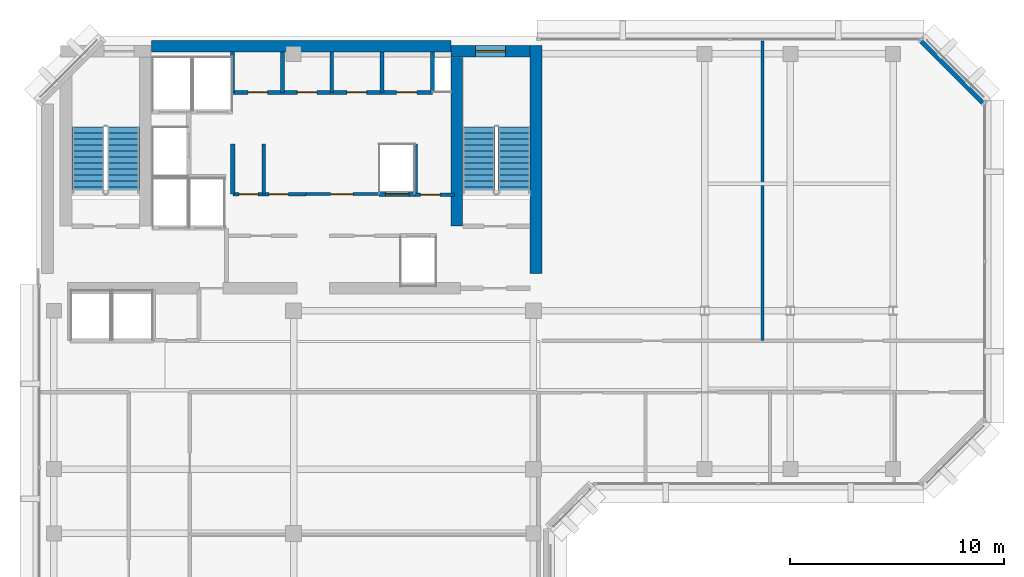
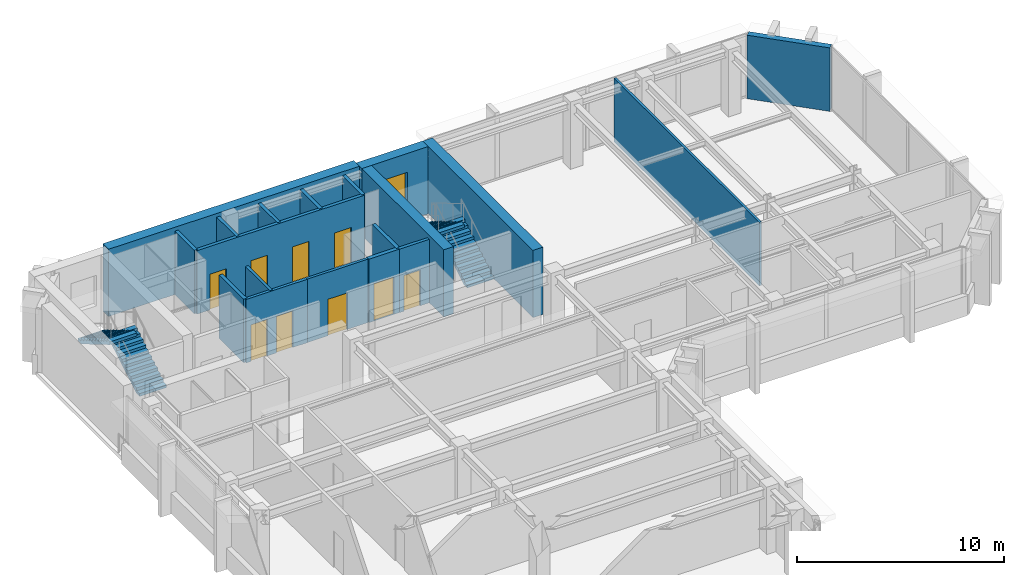
# One storey, part 8 of 11: 19 walls, 9 doors, 4 stair flights, 1 window, 10 openings, 2 elements without a shape of their own.
"""IFC4 building model written with IfcOpenShell, lengths in metres."""

from ifc_helpers import new_model, si_unit, direction, frame, frame_2d, origin, place, context, subcontext, project, spatial, polyline, rectangle, outline, extrude, material, layer, layer_set, type_object, element, fill, aggregate, save


model = new_model("IFC4")

# Units and contexts
model_context = context("Model", 3, precision=1e-05, world=origin(), true_north=direction((0.0, 1.0)))
body_context = subcontext(model_context, "Body", "Model", "MODEL_VIEW")
ifc_project = project(units=[si_unit("LENGTHUNIT", "METRE"), si_unit("AREAUNIT", "SQUARE_METRE"), si_unit("VOLUMEUNIT", "CUBIC_METRE"), si_unit("PLANEANGLEUNIT", "RADIAN"), si_unit("MASSUNIT", "GRAM", prefix="KILO")], contexts=[model_context])

# Site, building, storey
site_placement = place(None, origin())
site = spatial("IfcSite", under=ifc_project, at=site_placement, CompositionType="ELEMENT")
building_placement = place(site_placement, origin())
building = spatial("IfcBuilding", under=site, at=building_placement, Name="Kefirva Bronze Tower", CompositionType="ELEMENT")
storey_placement = place(building_placement, frame((0.0, 0.0, 288.090087890625)))
storey = spatial("IfcBuildingStorey", under=building, at=storey_placement, Name="L70", CompositionType="ELEMENT", Elevation=288.090087890625)

# Wall
ifc_material_1 = material(Name="Gypsum acoustic partition")
ifc_layer_1 = layer(ifc_material_1, 0.1298828125, Name="Gypsum acoustic partition")
ifc_layer_set_1 = layer_set([ifc_layer_1], Name="Gypsum acoustic partition")
wall_type_1 = type_object("IfcWallType", Name="Acoustic Office Partition 130mm", PredefinedType="PARTITIONING", material=ifc_layer_set_1)
wall_1_placement = place(storey_placement, frame((33.905029296875, 31.800048828125, 0.0), z_axis=(0.0, 0.0, 1.0), x_axis=(0.0, 1.0, 0.0)))
element("IfcWall", 1, at=wall_1_placement, inside=storey, type_object=wall_type_1, Name="L70 Partition W-L70-END1", PredefinedType="PARTITIONING", context=body_context, shape_type="SweptSolid", body=[
    extrude(rectangle(XDim=14.010009765625, YDim=0.1298828125, at=frame_2d((7.0048828125, 0.0))), origin(), (0.0, 0.0, 1.0), 3.739990234375),
])

# Wall, opening, door
ifc_layer_2 = layer(ifc_material_1, 0.14990234375, Name="Gypsum acoustic partition")
ifc_layer_set_2 = layer_set([ifc_layer_2], Name="Gypsum acoustic partition")
wall_type_2 = type_object("IfcWallType", Name="Executive Suite Partition 150mm", PredefinedType="PARTITIONING", material=ifc_layer_set_2)
wall_2_placement = place(storey_placement, frame((12.580078125, 38.64990234375, 0.0), z_axis=(0.0, 0.0, 1.0), x_axis=(1.0, 0.0, 0.0)))
wall_2 = element("IfcWall", 2, at=wall_2_placement, inside=storey, type_object=wall_type_2, Name="L70 Partition W-L70-RECMP2", PredefinedType="PARTITIONING", context=body_context, shape_type="SweptSolid", body=[
    extrude(rectangle(XDim=3.3798828125, YDim=0.14990234375, at=frame_2d((1.68994140625, 0.0))), origin(), (0.0, 0.0, 1.0), 3.739990234375),
])
opening_1_placement = place(wall_2_placement, frame((2.199951171875, 0.0, 0.0), z_axis=(0.0, 0.0, 1.0), x_axis=(-1.0, 0.0, 0.0)))
opening_1 = element("IfcOpeningElement", 3, at=opening_1_placement, cuts=wall_2, Name="Opening L70-D-RECMP2", PredefinedType="OPENING", context=body_context, shape_type="SweptSolid", body=[
    extrude(rectangle(XDim=1.050048828125, YDim=2.14990234375, at=frame_2d((0.52490234375, 1.074951171875))), frame((0.0, 0.0849609375, 0.0), z_axis=(0.0, -1.0, 0.0), x_axis=(1.0, 0.0, 0.0)), (0.0, 0.0, 1.0), 0.169921875),
])
ifc_material_2 = material(Name="Acoustic hardwood oak", Category="wood")
door_type_1 = type_object("IfcDoorType", Name="Executive & Boardroom Door 1050x2150", OperationType="NOTDEFINED", PredefinedType="DOOR", material=ifc_material_2)
door_1_placement = place(opening_1_placement, origin())
door_1 = element("IfcDoor", 4, at=door_1_placement, inside=storey, type_object=door_type_1, Name="Door L70-D-RECMP2", OperationType="SINGLE_SWING_RIGHT", OverallHeight=2.14990234375, OverallWidth=1.050048828125, PredefinedType="DOOR", context=body_context, shape_type="SweptSolid", body=[
    extrude(rectangle(XDim=1.050048828125, YDim=2.14990234375, at=frame_2d((0.52490234375, 1.074951171875))), frame((0.0, 0.02490234375, 0.0), z_axis=(0.0, -1.0, 0.0), x_axis=(1.0, 0.0, 0.0)), (0.0, 0.0, 1.0), 0.050048828125),
])
fill(opening_1, door_1)

# Walls
ifc_material_3 = material(Name="Gypsum fireboard shaftwall")
ifc_layer_3 = layer(ifc_material_3, 0.219970703125, Name="Gypsum fireboard shaftwall")
ifc_layer_set_3 = layer_set([ifc_layer_3], Name="Gypsum fireboard shaftwall")
wall_type_3 = type_object("IfcWallType", Name="Fire-Rated Shaft Enclosure Wall 220mm", PredefinedType="PARTITIONING", material=ifc_layer_set_3)
for number, where, z_axis, x_axis, name in (
    (5, (9.159912109375, 38.64990234375, 0.0), (0.0, 0.0, 1.0), (0.0, 1.0, 0.0), "L70 Partition W-L70-LP3W"),
    (6, (17.679931640625, 38.64990234375, 0.0), (0.0, 0.0, 1.0), (0.0, 1.0, 0.0), "L70 Partition W-L70-HP2E"),
):
    element("IfcWall", number, at=place(storey_placement, frame(where, z_axis=z_axis, x_axis=x_axis)), inside=storey, type_object=wall_type_3, Name=name, PredefinedType="PARTITIONING", context=body_context, shape_type="SweptSolid", body=[
        extrude(rectangle(XDim=2.35009765625, YDim=0.199951171875, at=frame_2d((1.175048828125, 0.0))), origin(), (0.0, 0.0, 1.0), 3.739990234375),
    ])

# Wall, opening, door
wall_3_placement = place(storey_placement, frame((15.97998046875, 38.64990234375, 0.0), z_axis=(0.0, 0.0, 1.0), x_axis=(1.0, 0.0, 0.0)))
wall_3 = element("IfcWall", 7, at=wall_3_placement, inside=storey, type_object=wall_type_3, Name="L70 Partition W-L70-HPN", PredefinedType="PARTITIONING", context=body_context, shape_type="SweptSolid", body=[
    extrude(rectangle(XDim=1.719970703125, YDim=0.219970703125, at=frame_2d((0.85986328125, 0.0))), origin(), (0.0, 0.0, 1.0), 3.739990234375),
])
opening_2_placement = place(wall_3_placement, frame((0.300048828125, 0.0, 0.0)))
opening_2 = element("IfcOpeningElement", 8, at=opening_2_placement, cuts=wall_3, Name="Opening L70-LD-HP2", PredefinedType="OPENING", context=body_context, shape_type="SweptSolid", body=[
    extrude(rectangle(XDim=1.10009765625, YDim=2.199951171875, at=frame_2d((0.550048828125, 1.10009765625))), frame((0.0, 0.1201171875, 0.0), z_axis=(0.0, -1.0, 0.0), x_axis=(1.0, 0.0, 0.0)), (0.0, 0.0, 1.0), 0.239990234375),
])
ifc_material_4 = material(Name="Stainless steel 316", Category="steel")
door_type_2 = type_object("IfcDoorType", Name="Passenger Lift Sliding Landing Door 1100x2200", OperationType="SLIDING_TO_LEFT", PredefinedType="DOOR", material=ifc_material_4)
door_2_placement = place(opening_2_placement, origin())
door_2 = element("IfcDoor", 9, at=door_2_placement, inside=storey, type_object=door_type_2, Name="Door L70-LD-HP2", OperationType="SLIDING_TO_LEFT", OverallHeight=2.199951171875, OverallWidth=1.10009765625, PredefinedType="DOOR", context=body_context, shape_type="SweptSolid", body=[
    extrude(rectangle(XDim=1.10009765625, YDim=2.199951171875, at=frame_2d((0.550048828125, 1.10009765625))), frame((0.0, 0.02490234375, 0.0), z_axis=(0.0, -1.0, 0.0), x_axis=(1.0, 0.0, 0.0)), (0.0, 0.0, 1.0), 0.050048828125),
])
fill(opening_2, door_2)

ifc_material_5 = material(Name="Gypsum fireboard barrier")
ifc_layer_4 = layer(ifc_material_5, 0.199951171875, Name="Gypsum fireboard barrier")
ifc_layer_set_4 = layer_set([ifc_layer_4], Name="Gypsum fireboard barrier")
wall_type_4 = type_object("IfcWallType", Name="Firefighting Lobby Barrier Wall 200mm", PredefinedType="PARTITIONING", material=ifc_layer_set_4)
wall_4_placement = place(storey_placement, frame((17.679931640625, 38.6201171875, 0.0), z_axis=(0.0, 0.0, 1.0), x_axis=(1.0, 0.0, 0.0)))
wall_4 = element("IfcWall", 10, at=wall_4_placement, inside=storey, type_object=wall_type_4, Name="L70 Partition W-L70-CPASS", PredefinedType="PARTITIONING", context=body_context, shape_type="SweptSolid", body=[
    extrude(rectangle(XDim=1.840087890625, YDim=0.179931640625, at=frame_2d((0.919921875, 0.0))), origin(), (0.0, 0.0, 1.0), 3.739990234375),
])
opening_3_placement = place(wall_4_placement, frame((0.239990234375, 0.0, 0.0)))
opening_3 = element("IfcOpeningElement", 11, at=opening_3_placement, cuts=wall_4, Name="Opening L70-D-CPAS", PredefinedType="OPENING", context=body_context, shape_type="SweptSolid", body=[
    extrude(rectangle(XDim=0.919921875, YDim=2.10009765625, at=frame_2d((0.4599609375, 1.050048828125))), frame((0.0, 0.10009765625, 0.0), z_axis=(0.0, -1.0, 0.0), x_axis=(1.0, 0.0, 0.0)), (0.0, 0.0, 1.0), 0.199951171875),
])
ifc_material_6 = material(Name="Moisture-resistant timber", Category="wood")
door_type_3 = type_object("IfcDoorType", Name="Accessible Sanitary & WC Door 920x2100", OperationType="NOTDEFINED", PredefinedType="DOOR", material=ifc_material_6)
door_3_placement = place(opening_3_placement, origin())
door_3 = element("IfcDoor", 12, at=door_3_placement, inside=storey, type_object=door_type_3, Name="Door L70-D-CPAS", OperationType="SINGLE_SWING_RIGHT", OverallHeight=2.10009765625, OverallWidth=0.919921875, PredefinedType="DOOR", context=body_context, shape_type="SweptSolid", body=[
    extrude(rectangle(XDim=0.919921875, YDim=2.10009765625, at=frame_2d((0.4599609375, 1.050048828125))), frame((0.0, 0.02490234375, 0.0), z_axis=(0.0, -1.0, 0.0), x_axis=(1.0, 0.0, 0.0)), (0.0, 0.0, 1.0), 0.050048828125),
])
fill(opening_3, door_3)

# Wall
ifc_material_7 = material(Name="Precast concrete C40/50", Category="concrete")
ifc_layer_5 = layer(ifc_material_7, 0.320068359375, Name="Precast concrete C40/50")
ifc_layer_set_5 = layer_set([ifc_layer_5], Name="Precast concrete C40/50")
wall_type_5 = type_object("IfcWallType", Name="Precast Insulated Exterior Wall 320mm", PredefinedType="SOLIDWALL", material=ifc_layer_set_5)
wall_5_placement = place(storey_placement, frame((44.248046875, 42.92578125, 0.0), z_axis=(0.0, 0.0, 1.0), x_axis=(-0.707136318428, 0.707077242712, 0.0)))
element("IfcWall", 13, at=wall_5_placement, inside=storey, type_object=wall_type_5, Name="L70 Exterior Facade Wall 5", PredefinedType="SOLIDWALL", context=body_context, shape_type="SweptSolid", body=[
    extrude(rectangle(XDim=4.132568359375, YDim=0.320068359375, at=frame_2d((2.06640625, 0.0))), origin(), (0.0, 0.0, 1.0), 3.739990234375),
])

# Wall, openings, doors
ifc_layer_6 = layer(ifc_material_1, 0.159912109375, Name="Gypsum acoustic partition")
ifc_layer_set_6 = layer_set([ifc_layer_6], Name="Gypsum acoustic partition")
wall_type_6 = type_object("IfcWallType", Name="Protected Corridor Partition 160mm", PredefinedType="PARTITIONING", material=ifc_layer_set_6)
wall_6_placement = place(storey_placement, frame((9.159912109375, 38.64990234375, 0.0), z_axis=(0.0, 0.0, 1.0), x_axis=(1.0, 0.0, 0.0)))
wall_6 = element("IfcWall", 14, at=wall_6_placement, inside=storey, type_object=wall_type_6, Name="L70 Partition W-L70-RECLP2", PredefinedType="PARTITIONING", context=body_context, shape_type="SweptSolid", body=[
    extrude(rectangle(XDim=3.420166015625, YDim=0.159912109375, at=frame_2d((1.7099609375, 0.0))), origin(), (0.0, 0.0, 1.0), 3.739990234375),
])
opening_4_placement = place(wall_6_placement, frame((1.179931640625, 0.0, 0.0), z_axis=(0.0, 0.0, 1.0), x_axis=(-1.0, 0.0, 0.0)))
opening_4 = element("IfcOpeningElement", 15, at=opening_4_placement, cuts=wall_6, Name="Opening L70-D-RECLP2A", PredefinedType="OPENING", context=body_context, shape_type="SweptSolid", body=[
    extrude(rectangle(XDim=0.89990234375, YDim=2.14990234375, at=frame_2d((0.449951171875, 1.074951171875))), frame((0.0, 0.08984375, 0.0), z_axis=(0.0, -1.0, 0.0), x_axis=(1.0, 0.0, 0.0)), (0.0, 0.0, 1.0), 0.179931640625),
])
opening_5_placement = place(wall_6_placement, frame((2.599853515625, 0.0, 0.0), z_axis=(0.0, 0.0, 1.0), x_axis=(-1.0, 0.0, 0.0)))
opening_5 = element("IfcOpeningElement", 16, at=opening_5_placement, cuts=wall_6, Name="Opening L70-D-RECLP2B", PredefinedType="OPENING", context=body_context, shape_type="SweptSolid", body=[
    extrude(rectangle(XDim=0.89990234375, YDim=2.14990234375, at=frame_2d((0.449951171875, 1.074951171875))), frame((0.0, 0.08984375, 0.0), z_axis=(0.0, -1.0, 0.0), x_axis=(1.0, 0.0, 0.0)), (0.0, 0.0, 1.0), 0.179931640625),
])
ifc_material_8 = material(Name="Painted galvanized steel", Category="steel")
door_type_4 = type_object("IfcDoorType", Name="Core Archive & Server Fire Door 900x2150 FD60S", OperationType="NOTDEFINED", PredefinedType="DOOR", material=ifc_material_8)
door_4_placement = place(opening_4_placement, origin())
door_4 = element("IfcDoor", 17, at=door_4_placement, inside=storey, type_object=door_type_4, Name="Door L70-D-RECLP2A", OperationType="SINGLE_SWING_LEFT", OverallHeight=2.14990234375, OverallWidth=0.89990234375, PredefinedType="DOOR", context=body_context, shape_type="SweptSolid", body=[
    extrude(rectangle(XDim=0.89990234375, YDim=2.14990234375, at=frame_2d((0.449951171875, 1.074951171875))), frame((0.0, 0.02490234375, 0.0), z_axis=(0.0, -1.0, 0.0), x_axis=(1.0, 0.0, 0.0)), (0.0, 0.0, 1.0), 0.050048828125),
])
fill(opening_4, door_4)
door_5_placement = place(opening_5_placement, origin())
door_5 = element("IfcDoor", 18, at=door_5_placement, inside=storey, type_object=door_type_4, Name="Door L70-D-RECLP2B", OperationType="SINGLE_SWING_RIGHT", OverallHeight=2.14990234375, OverallWidth=0.89990234375, PredefinedType="DOOR", context=body_context, shape_type="SweptSolid", body=[
    extrude(rectangle(XDim=0.89990234375, YDim=2.14990234375, at=frame_2d((0.449951171875, 1.074951171875))), frame((0.0, 0.02490234375, 0.0), z_axis=(0.0, -1.0, 0.0), x_axis=(1.0, 0.0, 0.0)), (0.0, 0.0, 1.0), 0.050048828125),
])
fill(opening_5, door_5)

# Walls
wall_7_placement = place(storey_placement, frame((10.60009765625, 38.64990234375, 0.0), z_axis=(0.0, 0.0, 1.0), x_axis=(0.0, 1.0, 0.0)))
element("IfcWall", 19, at=wall_7_placement, inside=storey, type_object=wall_type_6, Name="L70 Partition W-L70-RECLP2D", PredefinedType="PARTITIONING", context=body_context, shape_type="SweptSolid", body=[
    extrude(rectangle(XDim=2.35009765625, YDim=0.159912109375, at=frame_2d((1.175048828125, 0.0))), origin(), (0.0, 0.0, 1.0), 3.739990234375),
])
ifc_material_9 = material(Name="Concrete C50/60", Category="concrete")
ifc_layer_7 = layer(ifc_material_9, 0.550048828125, Name="Concrete C50/60")
ifc_layer_set_7 = layer_set([ifc_layer_7], Name="Concrete C50/60")
wall_type_7 = type_object("IfcWallType", Name="RC Rear Core Exterior Wall 550mm", PredefinedType="SHEAR", material=ifc_layer_set_7)
wall_8_placement = place(storey_placement, frame((5.360107421875, 45.550048828125, 0.0), z_axis=(0.0, 0.0, 1.0), x_axis=(1.0, 0.0, 0.0)))
element("IfcWall", 20, at=wall_8_placement, inside=storey, type_object=wall_type_7, Name="L70 Rear Core North Shear Wall", PredefinedType="SHEAR", context=body_context, shape_type="SweptSolid", body=[
    extrude(rectangle(XDim=13.97998046875, YDim=0.550048828125, at=frame_2d((6.989990234375, 0.0))), origin(), (0.0, 0.0, 1.0), 3.9599609375),
])

# Wall, opening, window
wall_9_placement = place(storey_placement, frame((19.35009765625, 45.320068359375, 0.0), z_axis=(0.0, 0.0, 1.0), x_axis=(1.0, 0.0, 0.0)))
wall_9 = element("IfcWall", 21, at=wall_9_placement, inside=storey, type_object=wall_type_7, Name="L70 Stair 2 North Shear Wall", PredefinedType="SHEAR", context=body_context, shape_type="SweptSolid", body=[
    extrude(rectangle(XDim=3.68994140625, YDim=0.550048828125, at=frame_2d((1.844970703125, 0.0))), origin(), (0.0, 0.0, 1.0), 3.9599609375),
])
opening_6_placement = place(wall_9_placement, frame((1.14990234375, 0.0, 1.050048828125)))
opening_6 = element("IfcOpeningElement", 22, at=opening_6_placement, cuts=wall_9, Name="Opening WN-03", PredefinedType="OPENING", context=body_context, shape_type="SweptSolid", body=[
    extrude(rectangle(XDim=1.39990234375, YDim=1.800048828125, at=frame_2d((0.699951171875, 0.89990234375))), frame((0.0, 0.28515625, 0.0), z_axis=(0.0, -1.0, 0.0), x_axis=(1.0, 0.0, 0.0)), (0.0, 0.0, 1.0), 0.570068359375),
])
ifc_material_10 = material(Name="Laminated low-E double glazing", Category="glass")
window_type = type_object("IfcWindowType", Name="Rear-Core Stair Daylight Window 1400x1800", PartitioningType="SINGLE_PANEL", PredefinedType="WINDOW", material=ifc_material_10)
window_placement = place(opening_6_placement, origin())
window = element("IfcWindow", 23, at=window_placement, inside=storey, type_object=window_type, Name="L70 Stair 2 Daylight Window", OverallHeight=1.800048828125, OverallWidth=1.39990234375, PartitioningType="SINGLE_PANEL", PredefinedType="WINDOW", context=body_context, shape_type="SweptSolid", body=[
    extrude(rectangle(XDim=1.39990234375, YDim=1.800048828125, at=frame_2d((0.699951171875, 0.89990234375))), frame((0.0, 0.030029296875, 0.0), z_axis=(0.0, -1.0, 0.0), x_axis=(1.0, 0.0, 0.0)), (0.0, 0.0, 1.0), 0.06005859375),
])
fill(opening_6, window)

# Walls
ifc_layer_8 = layer(ifc_material_9, 0.550048828125, Name="Concrete C50/60")
ifc_layer_set_8 = layer_set([ifc_layer_8], Name="Concrete C50/60")
wall_type_8 = type_object("IfcWallType", Name="RC Rear Core Interior Wall 550mm", PredefinedType="SHEAR", material=ifc_layer_set_8)
wall_10_placement = place(storey_placement, frame((23.324951171875, 34.949951171875, 0.0), z_axis=(0.0, 0.0, 1.0), x_axis=(0.0, 1.0, 0.0)))
element("IfcWall", 24, at=wall_10_placement, inside=storey, type_object=wall_type_8, Name="L70 Rear Core East Shear Wall", PredefinedType="SHEAR", context=body_context, shape_type="SweptSolid", body=[
    extrude(rectangle(XDim=10.64013671875, YDim=0.550048828125, at=frame_2d((5.320068359375, 0.0))), origin(), (0.0, 0.0, 1.0), 3.9599609375),
])
wall_11_placement = place(storey_placement, frame((19.6201171875, 37.14990234375, 0.0), z_axis=(0.0, 0.0, 1.0), x_axis=(0.0, 1.0, 0.0)))
element("IfcWall", 25, at=wall_11_placement, inside=storey, type_object=wall_type_8, Name="L70 Stair 2 West Shear Wall", PredefinedType="SHEAR", context=body_context, shape_type="SweptSolid", body=[
    extrude(rectangle(XDim=7.89013671875, YDim=0.550048828125, at=frame_2d((3.945068359375, 0.0))), origin(), (0.0, 0.0, 1.0), 3.9599609375),
])

# Wall, openings, doors
ifc_material_11 = material(Name="Moisture-resistant partition")
ifc_layer_9 = layer(ifc_material_11, 0.179931640625, Name="Moisture-resistant partition")
ifc_layer_set_9 = layer_set([ifc_layer_9], Name="Moisture-resistant partition")
wall_type_9 = type_object("IfcWallType", Name="Sanitary Plumbing Chase Wall 180mm", PredefinedType="PLUMBINGWALL", material=ifc_layer_set_9)
wall_12_placement = place(storey_placement, frame((9.14990234375, 43.39990234375, 0.0), z_axis=(0.0, 0.0, 1.0), x_axis=(1.0, 0.0, 0.0)))
wall_12 = element("IfcWall", 26, at=wall_12_placement, inside=storey, type_object=wall_type_9, Name="L70 Partition W-L70-SVCS", PredefinedType="PLUMBINGWALL", context=body_context, shape_type="SweptSolid", body=[
    extrude(rectangle(XDim=9.330078125, YDim=0.179931640625, at=frame_2d((4.6650390625, 0.0))), origin(), (0.0, 0.0, 1.0), 3.739990234375),
])
opening_7_placement = place(wall_12_placement, frame((0.719970703125, 0.0, 0.0)))
opening_7 = element("IfcOpeningElement", 27, at=opening_7_placement, cuts=wall_12, Name="Opening L70-D-CSVC1", PredefinedType="OPENING", context=body_context, shape_type="SweptSolid", body=[
    extrude(rectangle(XDim=0.919921875, YDim=2.10009765625, at=frame_2d((0.4599609375, 1.050048828125))), frame((0.0, 0.10009765625, 0.0), z_axis=(0.0, -1.0, 0.0), x_axis=(1.0, 0.0, 0.0)), (0.0, 0.0, 1.0), 0.199951171875),
])
opening_8_placement = place(wall_12_placement, frame((3.02001953125, 0.0, 0.0)))
opening_8 = element("IfcOpeningElement", 28, at=opening_8_placement, cuts=wall_12, Name="Opening L70-D-CSVC2", PredefinedType="OPENING", context=body_context, shape_type="SweptSolid", body=[
    extrude(rectangle(XDim=0.919921875, YDim=2.10009765625, at=frame_2d((0.4599609375, 1.050048828125))), frame((0.0, 0.10009765625, 0.0), z_axis=(0.0, -1.0, 0.0), x_axis=(1.0, 0.0, 0.0)), (0.0, 0.0, 1.0), 0.199951171875),
])
opening_9_placement = place(wall_12_placement, frame((5.340087890625, 0.0, 0.0)))
opening_9 = element("IfcOpeningElement", 29, at=opening_9_placement, cuts=wall_12, Name="Opening L70-D-CSVC3", PredefinedType="OPENING", context=body_context, shape_type="SweptSolid", body=[
    extrude(rectangle(XDim=0.919921875, YDim=2.10009765625, at=frame_2d((0.4599609375, 1.050048828125))), frame((0.0, 0.10009765625, 0.0), z_axis=(0.0, -1.0, 0.0), x_axis=(1.0, 0.0, 0.0)), (0.0, 0.0, 1.0), 0.199951171875),
])
opening_10_placement = place(wall_12_placement, frame((7.659912109375, 0.0, 0.0)))
opening_10 = element("IfcOpeningElement", 30, at=opening_10_placement, cuts=wall_12, Name="Opening L70-D-CSVC4", PredefinedType="OPENING", context=body_context, shape_type="SweptSolid", body=[
    extrude(rectangle(XDim=0.949951171875, YDim=2.10009765625, at=frame_2d((0.47509765625, 1.050048828125))), frame((0.0, 0.10009765625, 0.0), z_axis=(0.0, -1.0, 0.0), x_axis=(1.0, 0.0, 0.0)), (0.0, 0.0, 1.0), 0.199951171875),
])
door_6_placement = place(opening_7_placement, origin())
door_6 = element("IfcDoor", 31, at=door_6_placement, inside=storey, type_object=door_type_3, Name="Door L70-D-CSVC1", OperationType="SINGLE_SWING_LEFT", OverallHeight=2.10009765625, OverallWidth=0.919921875, PredefinedType="DOOR", context=body_context, shape_type="SweptSolid", body=[
    extrude(rectangle(XDim=0.919921875, YDim=2.10009765625, at=frame_2d((0.4599609375, 1.050048828125))), frame((0.0, 0.02490234375, 0.0), z_axis=(0.0, -1.0, 0.0), x_axis=(1.0, 0.0, 0.0)), (0.0, 0.0, 1.0), 0.050048828125),
])
fill(opening_7, door_6)
door_7_placement = place(opening_8_placement, origin())
door_7 = element("IfcDoor", 32, at=door_7_placement, inside=storey, type_object=door_type_3, Name="Door L70-D-CSVC2", OperationType="SINGLE_SWING_RIGHT", OverallHeight=2.10009765625, OverallWidth=0.919921875, PredefinedType="DOOR", context=body_context, shape_type="SweptSolid", body=[
    extrude(rectangle(XDim=0.919921875, YDim=2.10009765625, at=frame_2d((0.4599609375, 1.050048828125))), frame((0.0, 0.02490234375, 0.0), z_axis=(0.0, -1.0, 0.0), x_axis=(1.0, 0.0, 0.0)), (0.0, 0.0, 1.0), 0.050048828125),
])
fill(opening_8, door_7)
door_8_placement = place(opening_9_placement, origin())
door_8 = element("IfcDoor", 33, at=door_8_placement, inside=storey, type_object=door_type_3, Name="Door L70-D-CSVC3", OperationType="SINGLE_SWING_LEFT", OverallHeight=2.10009765625, OverallWidth=0.919921875, PredefinedType="DOOR", context=body_context, shape_type="SweptSolid", body=[
    extrude(rectangle(XDim=0.919921875, YDim=2.10009765625, at=frame_2d((0.4599609375, 1.050048828125))), frame((0.0, 0.02490234375, 0.0), z_axis=(0.0, -1.0, 0.0), x_axis=(1.0, 0.0, 0.0)), (0.0, 0.0, 1.0), 0.050048828125),
])
fill(opening_9, door_8)
door_type_5 = type_object("IfcDoorType", Name="Riser & Plant Shaft Fire Door 950x2100 FD60S", OperationType="NOTDEFINED", PredefinedType="DOOR", material=ifc_material_8)
door_9_placement = place(opening_10_placement, origin())
door_9 = element("IfcDoor", 34, at=door_9_placement, inside=storey, type_object=door_type_5, Name="Door L70-D-CSVC4", OperationType="SINGLE_SWING_RIGHT", OverallHeight=2.10009765625, OverallWidth=0.949951171875, PredefinedType="DOOR", context=body_context, shape_type="SweptSolid", body=[
    extrude(rectangle(XDim=0.949951171875, YDim=2.10009765625, at=frame_2d((0.47509765625, 1.050048828125))), frame((0.0, 0.02490234375, 0.0), z_axis=(0.0, -1.0, 0.0), x_axis=(1.0, 0.0, 0.0)), (0.0, 0.0, 1.0), 0.050048828125),
])
fill(opening_10, door_9)

# Walls
for number, where, z_axis, x_axis, name in (
    (35, (9.14990234375, 43.39990234375, 0.0), (0.0, 0.0, 1.0), (0.0, 1.0, 0.0), "L70 Partition W-L70-SVCW"),
    (36, (18.47998046875, 43.39990234375, 0.0), (0.0, 0.0, 1.0), (0.0, 1.0, 0.0), "L70 Partition W-L70-SVCE"),
    (37, (11.47998046875, 43.39990234375, 0.0), (0.0, 0.0, 1.0), (0.0, 1.0, 0.0), "L70 Partition W-L70-CSVD-1"),
    (38, (13.780029296875, 43.39990234375, 0.0), (0.0, 0.0, 1.0), (0.0, 1.0, 0.0), "L70 Partition W-L70-CSVD-2"),
    (39, (16.1201171875, 43.39990234375, 0.0), (0.0, 0.0, 1.0), (0.0, 1.0, 0.0), "L70 Partition W-L70-CSVD-3"),
):
    element("IfcWall", number, at=place(storey_placement, frame(where, z_axis=z_axis, x_axis=x_axis)), inside=storey, type_object=wall_type_9, Name=name, PredefinedType="PLUMBINGWALL", context=body_context, shape_type="SweptSolid", body=[
        extrude(rectangle(XDim=1.880126953125, YDim=0.179931640625, at=frame_2d((0.93994140625, 0.0))), origin(), (0.0, 0.0, 1.0), 3.739990234375),
    ])

# Stair, stair flights
ifc_material_12 = material(Name="Concrete C40/50", Category="concrete")
stair_type = type_object("IfcStairType", Name="RC Dogleg Protected Stair 24R", PredefinedType="HALF_TURN_STAIR", material=ifc_material_12)
stair_1_placement = place(storey_placement, origin())
stair_1 = element("IfcStair", 40, at=stair_1_placement, inside=storey, type_object=stair_type, Name="L70 Protected Exit Stair 1", PredefinedType="HALF_TURN_STAIR")
stair_flight_type = type_object("IfcStairFlightType", Name="RC Straight Stair Flight 24R", PredefinedType="STRAIGHT", material=ifc_material_12)
stair_flight_1_placement = place(storey_placement, frame((4.050048828125, 38.699951171875, 0.0), z_axis=(0.0, 0.0, 1.0), x_axis=(0.0, 1.0, 0.0)))
stair_flight_1 = element("IfcStairFlight", 41, at=stair_flight_1_placement, type_object=stair_flight_type, Name="ST-1 flight 1", NumberOfRisers=12, NumberOfTreads=11, PredefinedType="STRAIGHT", RiserHeight=0.165, TreadLength=0.28, context=body_context, shape_type="SweptSolid", body=[
    extrude(outline(polyline([(0.0, 0.0), (0.0, 0.1650390625), (0.280029296875, 0.1650390625), (0.280029296875, 0.330078125), (0.56005859375, 0.330078125), (0.56005859375, 0.4951171875), (0.840087890625, 0.4951171875), (0.840087890625, 0.659912109375), (1.1201171875, 0.659912109375), (1.1201171875, 0.824951171875), (1.39990234375, 0.824951171875), (1.39990234375, 0.989990234375), (1.679931640625, 0.989990234375), (1.679931640625, 1.155029296875), (1.9599609375, 1.155029296875), (1.9599609375, 1.320068359375), (2.239990234375, 1.320068359375), (2.239990234375, 1.485107421875), (2.52001953125, 1.485107421875), (2.52001953125, 1.64990234375), (2.800048828125, 1.64990234375), (2.800048828125, 1.81494140625), (3.080078125, 1.81494140625), (3.080078125, 1.97998046875), (3.080078125, 1.64111328125), (0.295166015625, 0.0), (0.0, 0.0)])), frame((0.0, 0.75, 0.0), z_axis=(0.0, -1.0, 0.0), x_axis=(1.0, 0.0, 0.0)), (0.0, 0.0, 1.0), 1.5),
])
stair_flight_2_placement = place(storey_placement, frame((2.39990234375, 41.780029296875, 1.97998046875), z_axis=(0.0, 0.0, 1.0), x_axis=(0.0, -1.0, 0.0)))
stair_flight_2 = element("IfcStairFlight", 42, at=stair_flight_2_placement, type_object=stair_flight_type, Name="ST-1 flight 2", NumberOfRisers=12, NumberOfTreads=11, PredefinedType="STRAIGHT", RiserHeight=0.165, TreadLength=0.28, context=body_context, shape_type="SweptSolid", body=[
    extrude(outline(polyline([(0.0, 0.0), (0.0, 0.1650390625), (0.280029296875, 0.1650390625), (0.280029296875, 0.330078125), (0.56005859375, 0.330078125), (0.56005859375, 0.4951171875), (0.840087890625, 0.4951171875), (0.840087890625, 0.659912109375), (1.1201171875, 0.659912109375), (1.1201171875, 0.824951171875), (1.39990234375, 0.824951171875), (1.39990234375, 0.989990234375), (1.679931640625, 0.989990234375), (1.679931640625, 1.155029296875), (1.9599609375, 1.155029296875), (1.9599609375, 1.320068359375), (2.239990234375, 1.320068359375), (2.239990234375, 1.485107421875), (2.52001953125, 1.485107421875), (2.52001953125, 1.64990234375), (2.800048828125, 1.64990234375), (2.800048828125, 1.81494140625), (3.080078125, 1.81494140625), (3.080078125, 1.97998046875), (3.080078125, 1.64111328125), (0.295166015625, 0.0), (0.0, 0.0)])), frame((0.0, 0.75, 0.0), z_axis=(0.0, -1.0, 0.0), x_axis=(1.0, 0.0, 0.0)), (0.0, 0.0, 1.0), 1.5),
])
aggregate(stair_1, [stair_flight_1, stair_flight_2])

stair_2_placement = place(storey_placement, origin())
stair_2 = element("IfcStair", 43, at=stair_2_placement, inside=storey, type_object=stair_type, Name="L70 Protected Exit Stair 2", PredefinedType="HALF_TURN_STAIR")
stair_flight_3_placement = place(storey_placement, frame((22.300048828125, 38.699951171875, 0.0), z_axis=(0.0, 0.0, 1.0), x_axis=(0.0, 1.0, 0.0)))
stair_flight_3 = element("IfcStairFlight", 44, at=stair_flight_3_placement, type_object=stair_flight_type, Name="ST-2 flight 1", NumberOfRisers=12, NumberOfTreads=11, PredefinedType="STRAIGHT", RiserHeight=0.165, TreadLength=0.28, context=body_context, shape_type="SweptSolid", body=[
    extrude(outline(polyline([(0.0, 0.0), (0.0, 0.1650390625), (0.280029296875, 0.1650390625), (0.280029296875, 0.330078125), (0.56005859375, 0.330078125), (0.56005859375, 0.4951171875), (0.840087890625, 0.4951171875), (0.840087890625, 0.659912109375), (1.1201171875, 0.659912109375), (1.1201171875, 0.824951171875), (1.39990234375, 0.824951171875), (1.39990234375, 0.989990234375), (1.679931640625, 0.989990234375), (1.679931640625, 1.155029296875), (1.9599609375, 1.155029296875), (1.9599609375, 1.320068359375), (2.239990234375, 1.320068359375), (2.239990234375, 1.485107421875), (2.52001953125, 1.485107421875), (2.52001953125, 1.64990234375), (2.800048828125, 1.64990234375), (2.800048828125, 1.81494140625), (3.080078125, 1.81494140625), (3.080078125, 1.97998046875), (3.080078125, 1.64111328125), (0.295166015625, 0.0), (0.0, 0.0)])), frame((0.0, 0.75, 0.0), z_axis=(0.0, -1.0, 0.0), x_axis=(1.0, 0.0, 0.0)), (0.0, 0.0, 1.0), 1.5),
])
stair_flight_4_placement = place(storey_placement, frame((20.64990234375, 41.780029296875, 1.97998046875), z_axis=(0.0, 0.0, 1.0), x_axis=(0.0, -1.0, 0.0)))
stair_flight_4 = element("IfcStairFlight", 45, at=stair_flight_4_placement, type_object=stair_flight_type, Name="ST-2 flight 2", NumberOfRisers=12, NumberOfTreads=11, PredefinedType="STRAIGHT", RiserHeight=0.165, TreadLength=0.28, context=body_context, shape_type="SweptSolid", body=[
    extrude(outline(polyline([(0.0, 0.0), (0.0, 0.1650390625), (0.280029296875, 0.1650390625), (0.280029296875, 0.330078125), (0.56005859375, 0.330078125), (0.56005859375, 0.4951171875), (0.840087890625, 0.4951171875), (0.840087890625, 0.659912109375), (1.1201171875, 0.659912109375), (1.1201171875, 0.824951171875), (1.39990234375, 0.824951171875), (1.39990234375, 0.989990234375), (1.679931640625, 0.989990234375), (1.679931640625, 1.155029296875), (1.9599609375, 1.155029296875), (1.9599609375, 1.320068359375), (2.239990234375, 1.320068359375), (2.239990234375, 1.485107421875), (2.52001953125, 1.485107421875), (2.52001953125, 1.64990234375), (2.800048828125, 1.64990234375), (2.800048828125, 1.81494140625), (3.080078125, 1.81494140625), (3.080078125, 1.97998046875), (3.080078125, 1.64111328125), (0.295166015625, 0.0), (0.0, 0.0)])), frame((0.0, 0.75, 0.0), z_axis=(0.0, -1.0, 0.0), x_axis=(1.0, 0.0, 0.0)), (0.0, 0.0, 1.0), 1.5),
])
aggregate(stair_2, [stair_flight_3, stair_flight_4])

save(model, "model.ifc")
